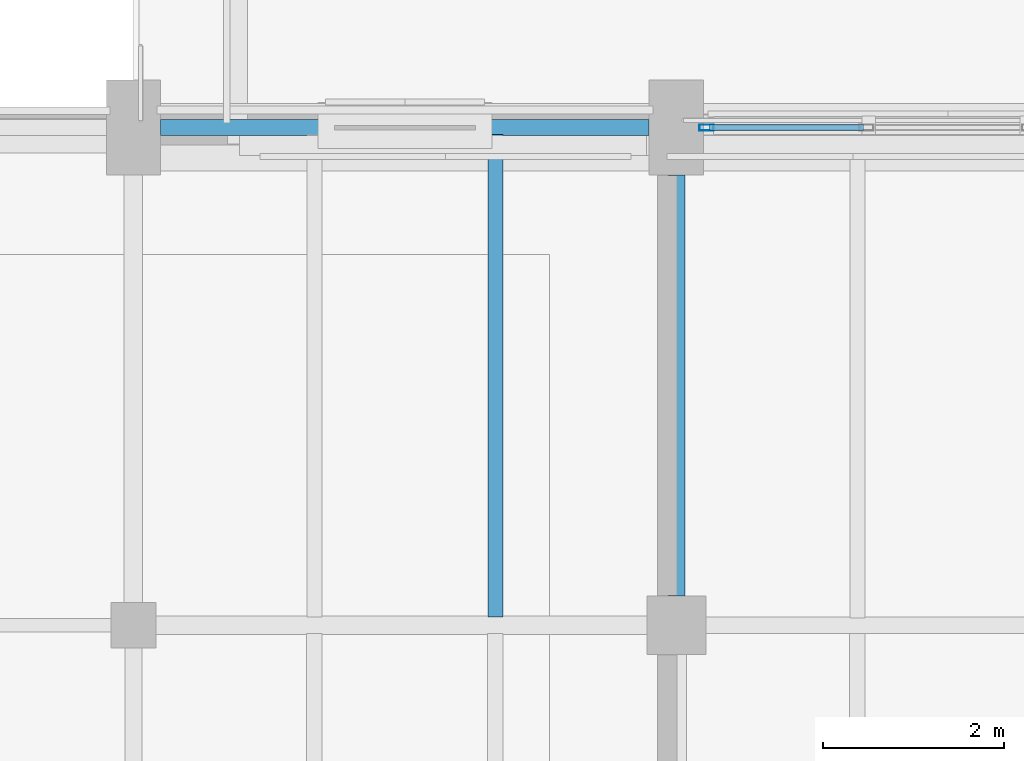
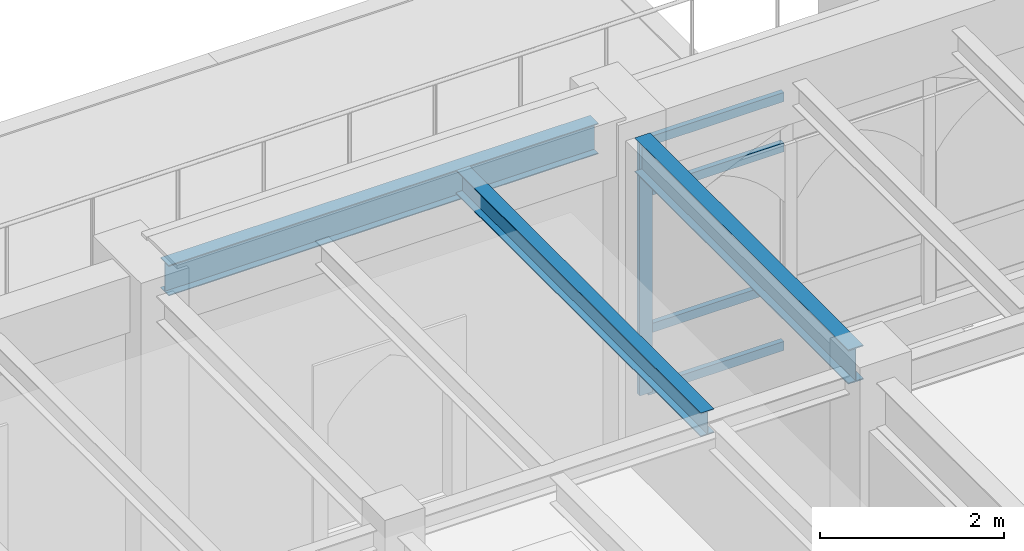
# One storey, part 56 of 127: 5 members, 3 beams, 1 element without a shape of its own.
"""IFC4 building model written with IfcOpenShell, lengths in metres."""

import ifcopenshell
import ifcopenshell.guid

model = None  # the IFC model being written
_history = None  # IfcOwnerHistory: only IFC2X3 demands one
_inside = {}  # id of a spatial element -> (the spatial element, [elements in it])
_under = {}  # id of a project, library or spatial element -> (it, [spatial elements below it])
_declared = {}  # id of a project -> (the project, [libraries it declares])
_typed = {}  # id of a type object -> (the type object, [elements of that type])
_made_of = {}  # id of a material, layer set ... -> (it, [elements and type objects made of it])


def new_model(schema):
    """Start an empty IFC model of exactly this schema.

    Asked for "IFC4X3", IfcOpenShell would pick the latest addendum, in which some entities
    have other attributes; the version numbers below select the first issue.
    IFC2X3 requires an IfcOwnerHistory on every rooted entity: one is made here for all.
    """
    global model, _history
    if schema == "IFC4X3":
        model = ifcopenshell.file(schema_version=(4, 3, 0, 0))
    else:
        model = ifcopenshell.file(schema=schema)
    _inside.clear()
    _under.clear()
    _declared.clear()
    _typed.clear()
    _made_of.clear()
    _history = None
    if model.schema == "IFC2X3":
        org = make("IfcOrganization", Name="unknown")
        user = make(
            "IfcPersonAndOrganization",
            ThePerson=make("IfcPerson", FamilyName="unknown"),
            TheOrganization=org,
        )
        app = make(
            "IfcApplication",
            ApplicationDeveloper=org,
            Version="unknown",
            ApplicationFullName="unknown",
            ApplicationIdentifier="unknown",
        )
        _history = make(
            "IfcOwnerHistory",
            OwningUser=user,
            OwningApplication=app,
            ChangeAction="ADDED",
            CreationDate=0,
        )
    return model


def make(cls, **values):
    """One entity of the class cls with the attributes given. An attribute that is None is left unset."""
    return model.create_entity(
        cls, **{name: value for name, value in values.items() if value is not None}
    )


def rooted(cls, **values):
    """An entity with a GlobalId (a new one), such as an element, a storey or a relation."""
    return make(cls, GlobalId=ifcopenshell.guid.new(), OwnerHistory=_history, **values)


def si_unit(unit_type, name, prefix=None):
    """IfcSIUnit, for example si_unit("LENGTHUNIT", "METRE", prefix="MILLI")."""
    return make("IfcSIUnit", UnitType=unit_type, Prefix=prefix, Name=name)


def assignment(units):
    """IfcUnitAssignment: the units of a project."""
    return None if units is None else make("IfcUnitAssignment", Units=units)


def point(xyz):
    """IfcCartesianPoint."""
    return None if xyz is None else make("IfcCartesianPoint", Coordinates=xyz)


def direction(xyz):
    """IfcDirection."""
    return None if xyz is None else make("IfcDirection", DirectionRatios=xyz)


def frame(location, z_axis=None, x_axis=None):
    """IfcAxis2Placement3D, a coordinate frame: its origin and axes. An axis left out is left unset."""
    return make(
        "IfcAxis2Placement3D",
        Location=point(location),
        Axis=direction(z_axis),
        RefDirection=direction(x_axis),
    )


def frame_2d(location, x_axis=None):
    """IfcAxis2Placement2D, a coordinate frame in the plane: its origin and x axis."""
    return make(
        "IfcAxis2Placement2D", Location=point(location), RefDirection=direction(x_axis)
    )


def origin():
    """The frame at (0, 0, 0) with its axes left unset."""
    return frame((0.0, 0.0, 0.0))


def origin_2d():
    """The frame at (0, 0) in the plane with its x axis left unset."""
    return frame_2d((0.0, 0.0))


def place(relative_to, where):
    """IfcLocalPlacement: puts the frame where relative to a parent placement (None: the world)."""
    return make(
        "IfcLocalPlacement", PlacementRelTo=relative_to, RelativePlacement=where
    )


def context(
    kind, dimensions, precision=None, world=None, true_north=None, identifier=None
):
    """IfcGeometricRepresentationContext, for example the 3D "Model" context."""
    return make(
        "IfcGeometricRepresentationContext",
        ContextIdentifier=identifier,
        ContextType=kind,
        CoordinateSpaceDimension=dimensions,
        Precision=precision,
        WorldCoordinateSystem=world,
        TrueNorth=true_north,
    )


def subcontext(parent, identifier, kind, view, scale=None):
    """IfcGeometricRepresentationSubContext, for example "Body" below "Model"."""
    return make(
        "IfcGeometricRepresentationSubContext",
        ContextIdentifier=identifier,
        ContextType=kind,
        ParentContext=parent,
        TargetScale=scale,
        TargetView=view,
    )


def project(units=None, contexts=None):
    """IfcProject with its units and contexts."""
    return rooted(
        "IfcProject",
        Name="project",
        RepresentationContexts=contexts,
        UnitsInContext=assignment(units),
    )


def spatial(cls, under=None, at=None, **own):
    """A site, building, storey or space (cls), placed at a placement, below another one or the project."""
    s = rooted(cls, ObjectPlacement=at, **own)
    if under is not None:
        _under.setdefault(under.id(), (under, []))[1].append(s)
    return s


def profile(cls, at=None, kind="AREA", **sizes):
    """A parametric profile (cls). Its sizes go by their IFC names, for example OverallWidth=200.0."""
    return make(cls, ProfileType=kind, Position=at, **sizes)


def hollow_rectangle(**sizes):
    """IfcRectangleHollowProfileDef."""
    return profile("IfcRectangleHollowProfileDef", **sizes)


def i_section(**sizes):
    """IfcIShapeProfileDef."""
    return profile("IfcIShapeProfileDef", **sizes)


def extrude(swept, where, along, depth):
    """IfcExtrudedAreaSolid: the profile swept, set in the frame where, extruded along a direction by depth."""
    return make(
        "IfcExtrudedAreaSolid",
        SweptArea=swept,
        Position=where,
        ExtrudedDirection=direction(along),
        Depth=depth,
    )


def shape(context_of_items, identifier, shape_type, items):
    """IfcShapeRepresentation: the items that make up one representation, for example the "Body"."""
    return make(
        "IfcShapeRepresentation",
        ContextOfItems=context_of_items,
        RepresentationIdentifier=identifier,
        RepresentationType=shape_type,
        Items=items,
    )


def material(Name=None, Category=None):
    """IfcMaterial."""
    return make("IfcMaterial", Name=Name, Category=Category)


def layer(
    of_material, thickness, ventilated=None, Name=None, Category=None, Priority=None
):
    """IfcMaterialLayer: one layer of a wall or slab, of a material (None: an air gap)."""
    return make(
        "IfcMaterialLayer",
        Material=of_material,
        LayerThickness=thickness,
        IsVentilated=ventilated,
        Name=Name,
        Category=Category,
        Priority=Priority,
    )


def layer_set(layers, Name=None):
    """IfcMaterialLayerSet."""
    return make("IfcMaterialLayerSet", MaterialLayers=layers, LayerSetName=Name)


def material_profile(
    of_material, cross_section, Name=None, Category=None, Priority=None
):
    """IfcMaterialProfile: a cross section and its material."""
    return make(
        "IfcMaterialProfile",
        Name=Name,
        Material=of_material,
        Profile=cross_section,
        Priority=Priority,
        Category=Category,
    )


def profile_set(profiles, Name=None, composite=None):
    """IfcMaterialProfileSet."""
    return make(
        "IfcMaterialProfileSet",
        Name=Name,
        MaterialProfiles=profiles,
        CompositeProfile=composite,
    )


def made_of(thing, what):
    """Note that an element or type object is made of a material, layer set ...; save() writes the relation."""
    if what is not None:
        _made_of.setdefault(what.id(), (what, []))[1].append(thing)
    return thing


def type_object(cls, material=None, **own):
    """A type object (cls), such as IfcWallType, which elements share."""
    return made_of(rooted(cls, **own), material)


def element(
    cls,
    number,
    at=None,
    inside=None,
    cuts=None,
    type_object=None,
    material=None,
    context=None,
    identifier="Body",
    shape_type=None,
    held_by="IfcProductDefinitionShape",
    body=None,
    shapes=None,
    **own,
):
    """One element of the class cls, such as IfcWall. Its Tag is "e" and its number.

    at: its placement. inside: the storey or other place that contains it. cuts: it is an
    opening in that element (IfcRelVoidsElement). A single representation is given by context,
    identifier, shape_type and body (its items); several are given by shapes. held_by: the class
    of the entity that holds the representations. save() writes the other relations.
    """
    e = rooted(cls, Tag="e%d" % number, ObjectPlacement=at, **own)
    if body is not None:
        shapes = [shape(context, identifier, shape_type, body)]
    if shapes is not None:
        e.Representation = make(held_by, Representations=shapes)
    if inside is not None:
        _inside.setdefault(inside.id(), (inside, []))[1].append(e)
    if cuts is not None:
        rooted(
            "IfcRelVoidsElement", RelatingBuildingElement=cuts, RelatedOpeningElement=e
        )
    if type_object is not None:
        _typed.setdefault(type_object.id(), (type_object, []))[1].append(e)
    return made_of(e, material)


def aggregate(whole, parts):
    """IfcRelAggregates: a whole, such as a stair, and the parts it consists of."""
    return rooted("IfcRelAggregates", RelatingObject=whole, RelatedObjects=parts)


def save(model, path):
    """Write the relations noted so far, then the file.

    IfcRelAggregates (storeys below a building ...), IfcRelContainedInSpatialStructure (elements
    in a storey), IfcRelDefinesByType, IfcRelAssociatesMaterial and IfcRelDeclares: one each for
    every whole, place, type object, material and project.
    """
    for whole, parts in _under.values():
        aggregate(whole, parts)
    for where, things in _inside.values():
        rooted(
            "IfcRelContainedInSpatialStructure",
            RelatedElements=things,
            RelatingStructure=where,
        )
    for kind, things in _typed.values():
        rooted("IfcRelDefinesByType", RelatedObjects=things, RelatingType=kind)
    for what, things in _made_of.values():
        rooted("IfcRelAssociatesMaterial", RelatedObjects=things, RelatingMaterial=what)
    for by, libraries in _declared.values():
        rooted("IfcRelDeclares", RelatingContext=by, RelatedDefinitions=libraries)
    model.write(path)


model = new_model("IFC4")

# Units and contexts
model_context = context("Model", 3, precision=1e-05, world=origin(), true_north=direction((0.0, 1.0)))
body_context = subcontext(model_context, "Body", "Model", "MODEL_VIEW")
ifc_project = project(units=[si_unit("LENGTHUNIT", "METRE"), si_unit("AREAUNIT", "SQUARE_METRE"), si_unit("VOLUMEUNIT", "CUBIC_METRE"), si_unit("PLANEANGLEUNIT", "RADIAN"), si_unit("MASSUNIT", "GRAM", prefix="KILO")], contexts=[model_context])

# Site, building, storey
site_placement = place(None, origin())
site = spatial("IfcSite", under=ifc_project, at=site_placement, CompositionType="ELEMENT")
building_placement = place(site_placement, origin())
building = spatial("IfcBuilding", under=site, at=building_placement, Name="Cumevento Cable Car Station", CompositionType="ELEMENT")
storey_placement = place(building_placement, frame((0.0, 0.0, 4.5)))
storey = spatial("IfcBuildingStorey", under=building, at=storey_placement, Name="L02", CompositionType="ELEMENT", Elevation=4.5)

# Curtain wall, members
ifc_material_1 = material(Name="Anodised Bronze Aluminium AW-6063-T6", Category="aluminium")
ifc_layer = layer(ifc_material_1, 0.238037109375)
ifc_layer_set = layer_set([ifc_layer], Name="Anodised Bronze Aluminium AW-6063-T6")
curtain_wall_type = type_object("IfcCurtainWallType", Name="Lancet Curtain Wall CW-14 1570", PredefinedType="NOTDEFINED", material=ifc_layer_set)
curtain_wall_placement = place(storey_placement, origin())
curtain_wall = element("IfcCurtainWall", 1, at=curtain_wall_placement, inside=storey, type_object=curtain_wall_type, Name="Lancet Curtain Wall CW-14 L02 #61", PredefinedType="NOTDEFINED")
ifc_material_2 = material(Name="Anodised Bronze Aluminium AW-6063-T6", Category="aluminium")
ifc_material_profile_1 = material_profile(ifc_material_2, hollow_rectangle(XDim=0.06494140625, YDim=0.159912109375, WallThickness=0.00390625, at=origin_2d()), Name="ALUM65x160x4")
ifc_profile_set_1 = profile_set([ifc_material_profile_1], Name="Anodised Bronze Aluminium AW-6063-T6")
member_type_1 = type_object("IfcMemberType", Name="Curtain Mullion CWM-01 ALUM65x160x4", PredefinedType="MULLION", material=ifc_profile_set_1)
member_1_placement = place(storey_placement, frame((82.33251953125, 56.5, 0.409912109375), z_axis=(0.0, 0.0, 1.0), x_axis=(0.0, 1.0, 0.0)))
member_1 = element("IfcMember", 2, at=member_1_placement, type_object=member_type_1, Name="CW-14 mullion 1", PredefinedType="MULLION", context=body_context, shape_type="SweptSolid", body=[
    extrude(hollow_rectangle(XDim=0.06494140625, YDim=0.159912109375, WallThickness=0.00390625, at=origin_2d()), origin(), (0.0, 0.0, 1.0), 3.373046875),
])
ifc_material_3 = material(Name="Anodised Bronze Aluminium AW-6063-T6", Category="aluminium")
ifc_material_profile_2 = material_profile(ifc_material_3, hollow_rectangle(XDim=0.06494140625, YDim=0.1201171875, WallThickness=0.00390625, at=origin_2d()), Name="ALUT65x120x4")
ifc_profile_set_2 = profile_set([ifc_material_profile_2], Name="Anodised Bronze Aluminium AW-6063-T6")
member_type_2 = type_object("IfcMemberType", Name="Curtain Transom CWT-01 ALUT65x120x4", PredefinedType="USERDEFINED", material=ifc_profile_set_2)
member_2_placement = place(storey_placement, frame((82.364990234375, 56.5, 0.4423828125), z_axis=(1.0, 0.0, 0.0), x_axis=(0.0, 1.0, 0.0)))
member_2 = element("IfcMember", 3, at=member_2_placement, type_object=member_type_2, Name="CW-14 transom 1.1", ObjectType="TRANSOM", PredefinedType="USERDEFINED", context=body_context, shape_type="SweptSolid", body=[
    extrude(hollow_rectangle(XDim=0.06494140625, YDim=0.1201171875, WallThickness=0.00390625, at=origin_2d()), origin(), (0.0, 0.0, 1.0), 1.702392578125),
])
member_3_placement = place(storey_placement, frame((82.364990234375, 56.5, 1.260009765625), z_axis=(1.0, 0.0, 0.0), x_axis=(0.0, 1.0, 0.0)))
member_3 = element("IfcMember", 4, at=member_3_placement, type_object=member_type_2, Name="CW-14 transom 1.2", ObjectType="TRANSOM", PredefinedType="USERDEFINED", context=body_context, shape_type="SweptSolid", body=[
    extrude(hollow_rectangle(XDim=0.06494140625, YDim=0.1201171875, WallThickness=0.00390625, at=origin_2d()), origin(), (0.0, 0.0, 1.0), 1.702392578125),
])
member_4_placement = place(storey_placement, frame((82.364990234375, 56.5, 3.0830078125), z_axis=(1.0, 0.0, 0.0), x_axis=(0.0, 1.0, 0.0)))
member_4 = element("IfcMember", 5, at=member_4_placement, type_object=member_type_2, Name="CW-14 transom 1.3", ObjectType="TRANSOM", PredefinedType="USERDEFINED", context=body_context, shape_type="SweptSolid", body=[
    extrude(hollow_rectangle(XDim=0.06494140625, YDim=0.1201171875, WallThickness=0.00390625, at=origin_2d()), origin(), (0.0, 0.0, 1.0), 1.702392578125),
])
member_5_placement = place(storey_placement, frame((82.364990234375, 56.5, 3.75048828125), z_axis=(1.0, 0.0, 0.0), x_axis=(0.0, 1.0, 0.0)))
member_5 = element("IfcMember", 6, at=member_5_placement, type_object=member_type_2, Name="CW-14 transom 1.4", ObjectType="TRANSOM", PredefinedType="USERDEFINED", context=body_context, shape_type="SweptSolid", body=[
    extrude(hollow_rectangle(XDim=0.06494140625, YDim=0.1201171875, WallThickness=0.00390625, at=origin_2d()), origin(), (0.0, 0.0, 1.0), 1.702392578125),
])
aggregate(curtain_wall, [member_1, member_2, member_3, member_4, member_5])

# Beams
ifc_material_4 = material(Name="Steel ASTM A572 Grade 50", Category="steel")
ifc_material_profile_3 = material_profile(ifc_material_4, i_section(OverallWidth=0.18994140625, OverallDepth=0.45703125, WebThickness=0.009033203125, FlangeThickness=0.014404296875, at=origin_2d()), Name="W460x74.0")
ifc_profile_set_3 = profile_set([ifc_material_profile_3], Name="Steel ASTM A572 Grade 50")
beam_type_1 = type_object("IfcBeamType", Name="Structural Beam BM-04 W460x74.0", PredefinedType="BEAM", material=ifc_profile_set_3)
beam_1_placement = place(storey_placement, frame((82.0, 51.324951171875, 4.035400390625), z_axis=(0.0, 1.0, 0.0), x_axis=(-1.0, 0.0, 0.0)))
element("IfcBeam", 7, at=beam_1_placement, inside=storey, type_object=beam_type_1, Name="Beam BM-04 L02 #608", PredefinedType="BEAM", context=body_context, shape_type="SweptSolid", body=[
    extrude(i_section(OverallWidth=0.18994140625, OverallDepth=0.45703125, WebThickness=0.009033203125, FlangeThickness=0.014404296875, at=origin_2d()), origin(), (0.0, 0.0, 1.0), 4.650146484375),
])
ifc_material_5 = material(Name="Steel ASTM A572 Grade 50", Category="steel")
ifc_material_profile_4 = material_profile(ifc_material_5, i_section(OverallWidth=0.1669921875, OverallDepth=0.31689453125, WebThickness=0.007568359375, FlangeThickness=0.01318359375, at=origin_2d()), Name="W310x52.0")
ifc_profile_set_4 = profile_set([ifc_material_profile_4], Name="Steel ASTM A572 Grade 50")
beam_type_2 = type_object("IfcBeamType", Name="Structural Joist JS-02 W310x52.0", PredefinedType="JOIST", material=ifc_profile_set_4)
beam_2_placement = place(storey_placement, frame((80.0, 51.089599609375, 4.10546875), z_axis=(0.0, 1.0, 0.0), x_axis=(-1.0, 0.0, 0.0)))
element("IfcBeam", 8, at=beam_2_placement, inside=storey, type_object=beam_type_2, Name="Composite Floor Joist JS-02 L02 #829", PredefinedType="JOIST", context=body_context, shape_type="SweptSolid", body=[
    extrude(i_section(OverallWidth=0.1669921875, OverallDepth=0.31689453125, WebThickness=0.007568359375, FlangeThickness=0.01318359375, at=origin_2d()), origin(), (0.0, 0.0, 1.0), 5.33349609375),
])
ifc_material_6 = material(Name="Steel ASTM A572 Grade 50", Category="steel")
ifc_material_profile_5 = material_profile(ifc_material_6, i_section(OverallWidth=0.177978515625, OverallDepth=0.406982421875, WebThickness=0.0078125, FlangeThickness=0.0126953125, at=origin_2d()), Name="W410x60.0")
ifc_profile_set_5 = profile_set([ifc_material_profile_5], Name="Steel ASTM A572 Grade 50")
beam_type_3 = type_object("IfcBeamType", Name="Structural Spandrel SP-01 W410x60.0", PredefinedType="SPANDREL", material=ifc_profile_set_5)
beam_3_placement = place(storey_placement, frame((76.300048828125, 56.5, 4.060546875), z_axis=(1.0, 0.0, 0.0), x_axis=(0.0, 1.0, 0.0)))
element("IfcBeam", 9, at=beam_3_placement, inside=storey, type_object=beam_type_3, Name="Beam SP-01 L02 #601", PredefinedType="SPANDREL", context=body_context, shape_type="SweptSolid", body=[
    extrude(i_section(OverallWidth=0.177978515625, OverallDepth=0.406982421875, WebThickness=0.0078125, FlangeThickness=0.0126953125, at=origin_2d()), origin(), (0.0, 0.0, 1.0), 5.39990234375),
])

save(model, "model.ifc")
